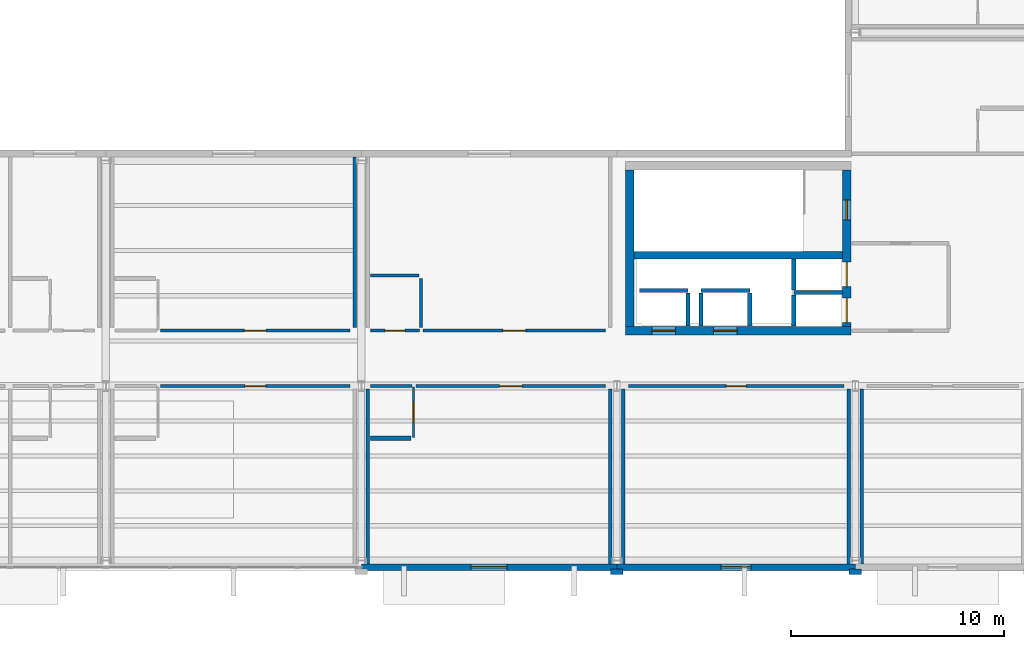
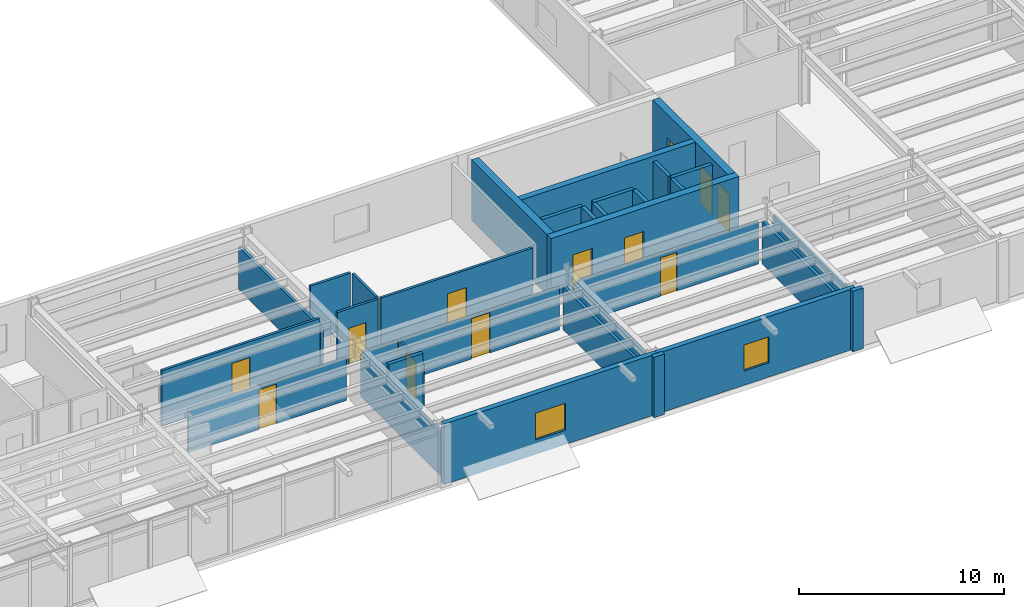
# One storey, part 14 of 19: 33 walls, 12 doors, 2 windows, 14 openings.
"""IFC4 building model written with IfcOpenShell, lengths in metres."""

from ifc_helpers import new_model, si_unit, direction, frame, frame_2d, origin, place, context, subcontext, project, spatial, rectangle, extrude, material, layer, layer_set, type_object, element, fill, save


model = new_model("IFC4")

# Units and contexts
model_context = context("Model", 3, precision=1e-05, world=origin(), true_north=direction((0.0, 1.0)))
body_context = subcontext(model_context, "Body", "Model", "MODEL_VIEW")
ifc_project = project(units=[si_unit("LENGTHUNIT", "METRE"), si_unit("AREAUNIT", "SQUARE_METRE"), si_unit("VOLUMEUNIT", "CUBIC_METRE"), si_unit("PLANEANGLEUNIT", "RADIAN"), si_unit("MASSUNIT", "GRAM", prefix="KILO")], contexts=[model_context])

# Site, building, storey
site_placement = place(None, origin())
site = spatial("IfcSite", under=ifc_project, at=site_placement, CompositionType="ELEMENT")
building_placement = place(site_placement, origin())
building = spatial("IfcBuilding", under=site, at=building_placement, Name="Sollismere Congress Hotel", CompositionType="ELEMENT")
storey_placement = place(building_placement, frame((0.0, 0.0, 44.60009765625)))
storey = spatial("IfcBuildingStorey", under=building, at=storey_placement, Name="L11", CompositionType="ELEMENT", Elevation=44.60009765625)

# Wall, opening, window
ifc_material_1 = material(Name="Colorado Buff Sandstone Rainscreen on Insulated Backup", Category="masonry")
ifc_layer_1 = layer(ifc_material_1, 0.284912109375, Name="Colorado Buff Sandstone Rainscreen on Insulated Backup")
ifc_layer_set_1 = layer_set([ifc_layer_1], Name="Colorado Buff Sandstone Rainscreen on Insulated Backup")
wall_type_1 = type_object("IfcWallType", Name="WL-EXT285", PredefinedType="STANDARD", material=ifc_layer_set_1)
wall_1_placement = place(storey_placement, frame((124.0, -0.31005859375, 0.0), z_axis=(0.0, 0.0, 1.0), x_axis=(1.0, 0.0, 0.0)))
wall_1 = element("IfcWall", 1, at=wall_1_placement, inside=storey, type_object=wall_type_1, Name="Exterior wall EW-L11-999", PredefinedType="STANDARD", context=body_context, shape_type="SweptSolid", body=[
    extrude(rectangle(XDim=12.0, YDim=0.284912109375, at=frame_2d((6.0, 0.0))), origin(), (0.0, 0.0, 1.0), 3.599853515625),
])
opening_1_placement = place(wall_1_placement, frame((5.14990234375, 0.0, 0.85009765625)))
opening_1 = element("IfcOpeningElement", 2, at=opening_1_placement, cuts=wall_1, Name="Opening W-L11-714", PredefinedType="OPENING", context=body_context, shape_type="SweptSolid", body=[
    extrude(rectangle(XDim=1.699951171875, YDim=1.60009765625, at=frame_2d((0.85009765625, 0.800048828125))), frame((0.0, 0.15234375, 0.0), z_axis=(0.0, -1.0, 0.0), x_axis=(1.0, 0.0, 0.0)), (0.0, 0.0, 1.0), 0.304931640625),
])
ifc_material_2 = material(Name="Thermally Broken Bronze Aluminum & Low-E Glass", Category="aluminium")
window_type_1 = type_object("IfcWindowType", Name="WN-P170x160", PartitioningType="SINGLE_PANEL", PredefinedType="WINDOW", material=ifc_material_2)
window_1_placement = place(opening_1_placement, origin())
window_1 = element("IfcWindow", 3, at=window_1_placement, inside=storey, type_object=window_type_1, Name="WIN-W-L11-714", OverallHeight=1.60009765625, OverallWidth=1.699951171875, PartitioningType="SINGLE_PANEL", PredefinedType="WINDOW", context=body_context, shape_type="SweptSolid", body=[
    extrude(rectangle(XDim=1.699951171875, YDim=1.60009765625, at=frame_2d((0.85009765625, 0.800048828125))), frame((0.0, 0.030029296875, 0.0), z_axis=(0.0, -1.0, 0.0), x_axis=(1.0, 0.0, 0.0)), (0.0, 0.0, 1.0), 0.06005859375),
])
fill(opening_1, window_1)

wall_2_placement = place(storey_placement, frame((136.0, -0.31005859375, 0.0), z_axis=(0.0, 0.0, 1.0), x_axis=(1.0, 0.0, 0.0)))
wall_2 = element("IfcWall", 4, at=wall_2_placement, inside=storey, type_object=wall_type_1, Name="Exterior wall EW-L11-1001", PredefinedType="STANDARD", context=body_context, shape_type="SweptSolid", body=[
    extrude(rectangle(XDim=11.199951171875, YDim=0.284912109375, at=frame_2d((5.60009765625, 0.0))), origin(), (0.0, 0.0, 1.0), 3.599853515625),
])
opening_2_placement = place(wall_2_placement, frame((4.89990234375, 0.0, 0.85009765625)))
opening_2 = element("IfcOpeningElement", 5, at=opening_2_placement, cuts=wall_2, Name="Opening W-L11-715", PredefinedType="OPENING", context=body_context, shape_type="SweptSolid", body=[
    extrude(rectangle(XDim=1.39990234375, YDim=1.550048828125, at=frame_2d((0.699951171875, 0.77490234375))), frame((0.0, 0.15234375, 0.0), z_axis=(0.0, -1.0, 0.0), x_axis=(1.0, 0.0, 0.0)), (0.0, 0.0, 1.0), 0.304931640625),
])
window_type_2 = type_object("IfcWindowType", Name="WN-P140x155", PartitioningType="SINGLE_PANEL", PredefinedType="WINDOW", material=ifc_material_2)
window_2_placement = place(opening_2_placement, origin())
window_2 = element("IfcWindow", 6, at=window_2_placement, inside=storey, type_object=window_type_2, Name="WIN-W-L11-715", OverallHeight=1.550048828125, OverallWidth=1.39990234375, PartitioningType="SINGLE_PANEL", PredefinedType="WINDOW", context=body_context, shape_type="SweptSolid", body=[
    extrude(rectangle(XDim=1.39990234375, YDim=1.550048828125, at=frame_2d((0.699951171875, 0.77490234375))), frame((0.0, 0.030029296875, 0.0), z_axis=(0.0, -1.0, 0.0), x_axis=(1.0, 0.0, 0.0)), (0.0, 0.0, 1.0), 0.06005859375),
])
fill(opening_2, window_2)

# Walls
ifc_material_3 = material(Name="Carved Travertine Pilaster & Frieze Assembly", Category="masonry")
ifc_layer_2 = layer(ifc_material_3, 0.260009765625, Name="Carved Travertine Pilaster & Frieze Assembly")
ifc_layer_set_2 = layer_set([ifc_layer_2], Name="Carved Travertine Pilaster & Frieze Assembly")
wall_type_2 = type_object("IfcWallType", Name="WL-PIL280", PredefinedType="ELEMENTEDWALL", material=ifc_layer_set_2)
for number, where, z_axis, x_axis, name in (
    (7, (135.699951171875, -0.52001953125, 0.0), (0.0, 0.0, 1.0), (1.0, 0.0, 0.0), "Exterior wall EW-L11-1002"),
    (8, (146.89990234375, -0.52001953125, 0.0), (0.0, 0.0, 1.0), (1.0, 0.0, 0.0), "Exterior wall EW-L11-1004"),
):
    element("IfcWall", number, at=place(storey_placement, frame(where, z_axis=z_axis, x_axis=x_axis)), inside=storey, type_object=wall_type_2, Name=name, PredefinedType="ELEMENTEDWALL", context=body_context, shape_type="SweptSolid", body=[
        extrude(rectangle(XDim=0.60009765625, YDim=0.260009765625, at=frame_2d((0.300048828125, 0.0))), origin(), (0.0, 0.0, 1.0), 3.599853515625),
    ])
ifc_material_4 = material(Name="Moisture-Resistant Shaft Gypsum Assembly")
ifc_layer_3 = layer(ifc_material_4, 0.199951171875, Name="Moisture-Resistant Shaft Gypsum Assembly")
ifc_layer_set_3 = layer_set([ifc_layer_3], Name="Moisture-Resistant Shaft Gypsum Assembly")
wall_type_3 = type_object("IfcWallType", Name="WL-PLM200", PredefinedType="PLUMBINGWALL", material=ifc_layer_set_3)
wall_3_placement = place(storey_placement, frame((137.054931640625, 12.68994140625, 0.0), z_axis=(0.0, 0.0, 1.0), x_axis=(1.0, 0.0, 0.0)))
element("IfcWall", 9, at=wall_3_placement, inside=storey, type_object=wall_type_3, Name="Interior wall IW-L11-0198", PredefinedType="PLUMBINGWALL", context=body_context, shape_type="SweptSolid", body=[
    extrude(rectangle(XDim=2.2900390625, YDim=0.199951171875, at=frame_2d((1.14501953125, 0.0))), origin(), (0.0, 0.0, 1.0), 3.2998046875),
])
wall_4_placement = place(storey_placement, frame((139.344970703125, 11.011962890625, 0.0), z_axis=(0.0, 0.0, 1.0), x_axis=(0.0, 1.0, 0.0)))
element("IfcWall", 10, at=wall_4_placement, inside=storey, type_object=wall_type_3, Name="Interior wall IW-L11-0199", PredefinedType="PLUMBINGWALL", context=body_context, shape_type="SweptSolid", body=[
    extrude(rectangle(XDim=1.56591796875, YDim=0.199951171875, at=frame_2d((0.782958984375, 0.0))), origin(), (0.0, 0.0, 1.0), 3.2998046875),
])
wall_5_placement = place(storey_placement, frame((139.955078125, 12.68994140625, 0.0), z_axis=(0.0, 0.0, 1.0), x_axis=(1.0, 0.0, 0.0)))
element("IfcWall", 11, at=wall_5_placement, inside=storey, type_object=wall_type_3, Name="Interior wall IW-L11-0200", PredefinedType="PLUMBINGWALL", context=body_context, shape_type="SweptSolid", body=[
    extrude(rectangle(XDim=2.2900390625, YDim=0.199951171875, at=frame_2d((1.14501953125, 0.0))), origin(), (0.0, 0.0, 1.0), 3.2998046875),
])
for number, where, z_axis, x_axis, name in (
    (12, (139.955078125, 11.011962890625, 0.0), (0.0, 0.0, 1.0), (0.0, 1.0, 0.0), "Interior wall IW-L11-0201"),
    (13, (142.2451171875, 11.011962890625, 0.0), (0.0, 0.0, 1.0), (0.0, 1.0, 0.0), "Interior wall IW-L11-0202"),
):
    element("IfcWall", number, at=place(storey_placement, frame(where, z_axis=z_axis, x_axis=x_axis)), inside=storey, type_object=wall_type_3, Name=name, PredefinedType="PLUMBINGWALL", context=body_context, shape_type="SweptSolid", body=[
        extrude(rectangle(XDim=1.56591796875, YDim=0.199951171875, at=frame_2d((0.782958984375, 0.0))), origin(), (0.0, 0.0, 1.0), 3.2998046875),
    ])
wall_6_placement = place(storey_placement, frame((144.31005859375, 12.594970703125, 0.0), z_axis=(0.0, 0.0, 1.0), x_axis=(1.0, 0.0, 0.0)))
element("IfcWall", 14, at=wall_6_placement, inside=storey, type_object=wall_type_3, Name="Interior wall IW-L11-0203", PredefinedType="PLUMBINGWALL", context=body_context, shape_type="SweptSolid", body=[
    extrude(rectangle(XDim=2.27783203125, YDim=0.199951171875, at=frame_2d((1.138916015625, 0.0))), origin(), (0.0, 0.0, 1.0), 3.2998046875),
])
wall_7_placement = place(storey_placement, frame((144.31005859375, 11.011962890625, 0.0), z_axis=(0.0, 0.0, 1.0), x_axis=(0.0, 1.0, 0.0)))
element("IfcWall", 15, at=wall_7_placement, inside=storey, type_object=wall_type_3, Name="Interior wall IW-L11-0204", PredefinedType="PLUMBINGWALL", context=body_context, shape_type="SweptSolid", body=[
    extrude(rectangle(XDim=1.470947265625, YDim=0.199951171875, at=frame_2d((0.7353515625, 0.0))), origin(), (0.0, 0.0, 1.0), 3.2998046875),
])
wall_8_placement = place(storey_placement, frame((144.31005859375, 12.70703125, 0.0), z_axis=(0.0, 0.0, 1.0), x_axis=(0.0, 1.0, 0.0)))
element("IfcWall", 16, at=wall_8_placement, inside=storey, type_object=wall_type_3, Name="Interior wall IW-L11-0205", PredefinedType="PLUMBINGWALL", context=body_context, shape_type="SweptSolid", body=[
    extrude(rectangle(XDim=1.4560546875, YDim=0.199951171875, at=frame_2d((0.72802734375, 0.0))), origin(), (0.0, 0.0, 1.0), 3.2998046875),
])
wall_9_placement = place(storey_placement, frame((124.419921875, 5.75, 0.0), z_axis=(0.0, 0.0, 1.0), x_axis=(1.0, 0.0, 0.0)))
element("IfcWall", 17, at=wall_9_placement, inside=storey, type_object=wall_type_3, Name="Interior wall IW-L11-2940", PredefinedType="PLUMBINGWALL", context=body_context, shape_type="SweptSolid", body=[
    extrude(rectangle(XDim=1.91015625, YDim=0.199951171875, at=frame_2d((0.955078125, 0.0))), origin(), (0.0, 0.0, 1.0), 3.2998046875),
])

# Wall, opening, door
ifc_material_5 = material(Name="Moisture-Resistant Gypsum Partition")
ifc_layer_4 = layer(ifc_material_5, 0.10009765625, Name="Moisture-Resistant Gypsum Partition")
ifc_layer_set_4 = layer_set([ifc_layer_4], Name="Moisture-Resistant Gypsum Partition")
wall_type_4 = type_object("IfcWallType", Name="WL-PRT100", PredefinedType="PARTITIONING", material=ifc_layer_set_4)
wall_10_placement = place(storey_placement, frame((126.449951171875, 5.7900390625, 0.0), z_axis=(0.0, 0.0, 1.0), x_axis=(0.0, 1.0, 0.0)))
wall_10 = element("IfcWall", 18, at=wall_10_placement, inside=storey, type_object=wall_type_4, Name="Interior wall IW-L11-2939", PredefinedType="PARTITIONING", context=body_context, shape_type="SweptSolid", body=[
    extrude(rectangle(XDim=2.369873046875, YDim=0.10009765625, at=frame_2d((1.18505859375, 0.0))), origin(), (0.0, 0.0, 1.0), 2.537841796875),
])
opening_3_placement = place(wall_10_placement, frame((0.719970703125, 0.0, 0.0)))
opening_3 = element("IfcOpeningElement", 19, at=opening_3_placement, cuts=wall_10, Name="Opening D-L11-1039", PredefinedType="OPENING", context=body_context, shape_type="SweptSolid", body=[
    extrude(rectangle(XDim=0.929931640625, YDim=2.219970703125, at=frame_2d((0.46484375, 1.10986328125))), frame((0.0, 0.06005859375, 0.0), z_axis=(0.0, -1.0, 0.0), x_axis=(1.0, 0.0, 0.0)), (0.0, 0.0, 1.0), 0.1201171875),
])
ifc_material_6 = material(Name="Moisture-Sealed Timber Bathroom Door", Category="wood")
door_type_1 = type_object("IfcDoorType", Name="DR-BT07", OperationType="NOTDEFINED", PredefinedType="DOOR", material=ifc_material_6)
door_1_placement = place(opening_3_placement, origin())
door_1 = element("IfcDoor", 20, at=door_1_placement, inside=storey, type_object=door_type_1, Name="En-suite bathroom door D-L11-1039", OperationType="SINGLE_SWING_RIGHT", OverallHeight=2.219970703125, OverallWidth=0.929931640625, PredefinedType="DOOR", context=body_context, shape_type="SweptSolid", body=[
    extrude(rectangle(XDim=0.929931640625, YDim=2.219970703125, at=frame_2d((0.46484375, 1.10986328125))), frame((0.0, 0.02490234375, 0.0), z_axis=(0.0, -1.0, 0.0), x_axis=(1.0, 0.0, 0.0)), (0.0, 0.0, 1.0), 0.050048828125),
])
fill(opening_3, door_1)

ifc_material_7 = material(Name="Fire-Rated Gypsum Partition")
ifc_layer_5 = layer(ifc_material_7, 0.139892578125, Name="Fire-Rated Gypsum Partition")
ifc_layer_set_5 = layer_set([ifc_layer_5], Name="Fire-Rated Gypsum Partition")
wall_type_5 = type_object("IfcWallType", Name="WL-PRT140R", PredefinedType="PARTITIONING", material=ifc_layer_set_5)
wall_11_placement = place(storey_placement, frame((114.570068359375, 8.199951171875, 0.0), z_axis=(0.0, 0.0, 1.0), x_axis=(1.0, 0.0, 0.0)))
wall_11 = element("IfcWall", 21, at=wall_11_placement, inside=storey, type_object=wall_type_5, Name="Interior wall IW-L11-2924", PredefinedType="PARTITIONING", context=body_context, shape_type="SweptSolid", body=[
    extrude(rectangle(XDim=8.889892578125, YDim=0.139892578125, at=frame_2d((4.44482421875, 0.0))), origin(), (0.0, 0.0, 1.0), 2.537841796875),
])
opening_4_placement = place(wall_11_placement, frame((3.955078125, 0.0, 0.0)))
opening_4 = element("IfcOpeningElement", 22, at=opening_4_placement, cuts=wall_11, Name="Opening D-L11-1034", PredefinedType="OPENING", context=body_context, shape_type="SweptSolid", body=[
    extrude(rectangle(XDim=0.97998046875, YDim=2.35009765625, at=frame_2d((0.489990234375, 1.175048828125))), frame((0.0, 0.079833984375, 0.0), z_axis=(0.0, -1.0, 0.0), x_axis=(1.0, 0.0, 0.0)), (0.0, 0.0, 1.0), 0.159912109375),
])
ifc_material_8 = material(Name="Solid-Core Acoustic Walnut Guestroom Entry Door")
door_type_2 = type_object("IfcDoorType", Name="DR-KY09", OperationType="NOTDEFINED", PredefinedType="DOOR", material=ifc_material_8)
door_2_placement = place(opening_4_placement, origin())
door_2 = element("IfcDoor", 23, at=door_2_placement, inside=storey, type_object=door_type_2, Name="Hotel room entry door D-L11-1034", OperationType="SINGLE_SWING_LEFT", OverallHeight=2.35009765625, OverallWidth=0.97998046875, PredefinedType="DOOR", context=body_context, shape_type="SweptSolid", body=[
    extrude(rectangle(XDim=0.97998046875, YDim=2.35009765625, at=frame_2d((0.489990234375, 1.175048828125))), frame((0.0, 0.02490234375, 0.0), z_axis=(0.0, -1.0, 0.0), x_axis=(1.0, 0.0, 0.0)), (0.0, 0.0, 1.0), 0.050048828125),
])
fill(opening_4, door_2)

wall_12_placement = place(storey_placement, frame((114.570068359375, 10.800048828125, 0.0), z_axis=(0.0, 0.0, 1.0), x_axis=(1.0, 0.0, 0.0)))
wall_12 = element("IfcWall", 24, at=wall_12_placement, inside=storey, type_object=wall_type_5, Name="Interior wall IW-L11-2930", PredefinedType="PARTITIONING", context=body_context, shape_type="SweptSolid", body=[
    extrude(rectangle(XDim=8.889892578125, YDim=0.139892578125, at=frame_2d((4.44482421875, 0.0))), origin(), (0.0, 0.0, 1.0), 3.2998046875),
])
opening_5_placement = place(wall_12_placement, frame((3.93994140625, 0.0, 0.0)))
opening_5 = element("IfcOpeningElement", 25, at=opening_5_placement, cuts=wall_12, Name="Opening D-L11-1036", PredefinedType="OPENING", context=body_context, shape_type="SweptSolid", body=[
    extrude(rectangle(XDim=1.010009765625, YDim=2.35009765625, at=frame_2d((0.5048828125, 1.175048828125))), frame((0.0, 0.079833984375, 0.0), z_axis=(0.0, -1.0, 0.0), x_axis=(1.0, 0.0, 0.0)), (0.0, 0.0, 1.0), 0.159912109375),
])
door_type_3 = type_object("IfcDoorType", Name="DR-KY10", OperationType="NOTDEFINED", PredefinedType="DOOR", material=ifc_material_8)
door_3_placement = place(opening_5_placement, origin())
door_3 = element("IfcDoor", 26, at=door_3_placement, inside=storey, type_object=door_type_3, Name="Hotel room entry door D-L11-1036", OperationType="SINGLE_SWING_LEFT", OverallHeight=2.35009765625, OverallWidth=1.010009765625, PredefinedType="DOOR", context=body_context, shape_type="SweptSolid", body=[
    extrude(rectangle(XDim=1.010009765625, YDim=2.35009765625, at=frame_2d((0.5048828125, 1.175048828125))), frame((0.0, 0.02490234375, 0.0), z_axis=(0.0, -1.0, 0.0), x_axis=(1.0, 0.0, 0.0)), (0.0, 0.0, 1.0), 0.050048828125),
])
fill(opening_5, door_3)

# Wall
wall_13_placement = place(storey_placement, frame((124.43994140625, 8.199951171875, 0.0), z_axis=(0.0, 0.0, 1.0), x_axis=(1.0, 0.0, 0.0)))
element("IfcWall", 27, at=wall_13_placement, inside=storey, type_object=wall_type_5, Name="Interior wall IW-L11-2935", PredefinedType="PARTITIONING", context=body_context, shape_type="SweptSolid", body=[
    extrude(rectangle(XDim=1.93017578125, YDim=0.139892578125, at=frame_2d((0.965087890625, 0.0))), origin(), (0.0, 0.0, 1.0), 2.537841796875),
])

# Wall, opening, door
wall_14_placement = place(storey_placement, frame((126.570068359375, 8.199951171875, 0.0), z_axis=(0.0, 0.0, 1.0), x_axis=(1.0, 0.0, 0.0)))
wall_14 = element("IfcWall", 28, at=wall_14_placement, inside=storey, type_object=wall_type_5, Name="Interior wall IW-L11-2936", PredefinedType="PARTITIONING", context=body_context, shape_type="SweptSolid", body=[
    extrude(rectangle(XDim=8.889892578125, YDim=0.139892578125, at=frame_2d((4.44482421875, 0.0))), origin(), (0.0, 0.0, 1.0), 2.537841796875),
])
opening_6_placement = place(wall_14_placement, frame((3.925048828125, 0.0, 0.0)))
opening_6 = element("IfcOpeningElement", 29, at=opening_6_placement, cuts=wall_14, Name="Opening D-L11-1038", PredefinedType="OPENING", context=body_context, shape_type="SweptSolid", body=[
    extrude(rectangle(XDim=1.0400390625, YDim=2.39990234375, at=frame_2d((0.52001953125, 1.199951171875))), frame((0.0, 0.079833984375, 0.0), z_axis=(0.0, -1.0, 0.0), x_axis=(1.0, 0.0, 0.0)), (0.0, 0.0, 1.0), 0.159912109375),
])
door_type_4 = type_object("IfcDoorType", Name="DR-KY11", OperationType="NOTDEFINED", PredefinedType="DOOR", material=ifc_material_8)
door_4_placement = place(opening_6_placement, origin())
door_4 = element("IfcDoor", 30, at=door_4_placement, inside=storey, type_object=door_type_4, Name="Hotel room entry door D-L11-1038", OperationType="SINGLE_SWING_LEFT", OverallHeight=2.39990234375, OverallWidth=1.0400390625, PredefinedType="DOOR", context=body_context, shape_type="SweptSolid", body=[
    extrude(rectangle(XDim=1.0400390625, YDim=2.39990234375, at=frame_2d((0.52001953125, 1.199951171875))), frame((0.0, 0.02490234375, 0.0), z_axis=(0.0, -1.0, 0.0), x_axis=(1.0, 0.0, 0.0)), (0.0, 0.0, 1.0), 0.050048828125),
])
fill(opening_6, door_4)

wall_15_placement = place(storey_placement, frame((124.43994140625, 10.800048828125, 0.0), z_axis=(0.0, 0.0, 1.0), x_axis=(1.0, 0.0, 0.0)))
wall_15 = element("IfcWall", 31, at=wall_15_placement, inside=storey, type_object=wall_type_5, Name="Interior wall IW-L11-2976", PredefinedType="PARTITIONING", context=body_context, shape_type="SweptSolid", body=[
    extrude(rectangle(XDim=2.280029296875, YDim=0.139892578125, at=frame_2d((1.14013671875, 0.0))), origin(), (0.0, 0.0, 1.0), 3.2998046875),
])
opening_7_placement = place(wall_15_placement, frame((0.659912109375, 0.0, 0.0)))
opening_7 = element("IfcOpeningElement", 32, at=opening_7_placement, cuts=wall_15, Name="Opening D-L11-1052", PredefinedType="OPENING", context=body_context, shape_type="SweptSolid", body=[
    extrude(rectangle(XDim=0.9599609375, YDim=2.14990234375, at=frame_2d((0.47998046875, 1.074951171875))), frame((0.0, 0.079833984375, 0.0), z_axis=(0.0, -1.0, 0.0), x_axis=(1.0, 0.0, 0.0)), (0.0, 0.0, 1.0), 0.159912109375),
])
ifc_material_9 = material(Name="Fire-Rated Accessible Restroom Door")
door_type_5 = type_object("IfcDoorType", Name="DR-AWC01", OperationType="NOTDEFINED", PredefinedType="DOOR", material=ifc_material_9)
door_5_placement = place(opening_7_placement, origin())
door_5 = element("IfcDoor", 33, at=door_5_placement, inside=storey, type_object=door_type_5, Name="Accessible restroom door D-L11-1052", OperationType="SINGLE_SWING_LEFT", OverallHeight=2.14990234375, OverallWidth=0.9599609375, PredefinedType="DOOR", context=body_context, shape_type="SweptSolid", body=[
    extrude(rectangle(XDim=0.9599609375, YDim=2.14990234375, at=frame_2d((0.47998046875, 1.074951171875))), frame((0.0, 0.02490234375, 0.0), z_axis=(0.0, -1.0, 0.0), x_axis=(1.0, 0.0, 0.0)), (0.0, 0.0, 1.0), 0.050048828125),
])
fill(opening_7, door_5)

# Walls
wall_16_placement = place(storey_placement, frame((126.800048828125, 10.93994140625, 0.0), z_axis=(0.0, 0.0, 1.0), x_axis=(0.0, 1.0, 0.0)))
element("IfcWall", 34, at=wall_16_placement, inside=storey, type_object=wall_type_5, Name="Interior wall IW-L11-2977", PredefinedType="PARTITIONING", context=body_context, shape_type="SweptSolid", body=[
    extrude(rectangle(XDim=2.320068359375, YDim=0.139892578125, at=frame_2d((1.16015625, 0.0))), origin(), (0.0, 0.0, 1.0), 3.2998046875),
])
wall_17_placement = place(storey_placement, frame((124.43994140625, 13.39990234375, 0.0), z_axis=(0.0, 0.0, 1.0), x_axis=(1.0, 0.0, 0.0)))
element("IfcWall", 35, at=wall_17_placement, inside=storey, type_object=wall_type_5, Name="Interior wall IW-L11-2978", PredefinedType="PARTITIONING", context=body_context, shape_type="SweptSolid", body=[
    extrude(rectangle(XDim=2.260009765625, YDim=0.139892578125, at=frame_2d((1.1298828125, 0.0))), origin(), (0.0, 0.0, 1.0), 3.2998046875),
])

# Wall, opening, door
wall_18_placement = place(storey_placement, frame((126.89990234375, 10.800048828125, 0.0), z_axis=(0.0, 0.0, 1.0), x_axis=(1.0, 0.0, 0.0)))
wall_18 = element("IfcWall", 36, at=wall_18_placement, inside=storey, type_object=wall_type_5, Name="Interior wall IW-L11-2979", PredefinedType="PARTITIONING", context=body_context, shape_type="SweptSolid", body=[
    extrude(rectangle(XDim=8.56005859375, YDim=0.139892578125, at=frame_2d((4.280029296875, 0.0))), origin(), (0.0, 0.0, 1.0), 3.2998046875),
])
opening_8_placement = place(wall_18_placement, frame((3.7451171875, 0.0, 0.0)))
opening_8 = element("IfcOpeningElement", 37, at=opening_8_placement, cuts=wall_18, Name="Opening D-L11-1053", PredefinedType="OPENING", context=body_context, shape_type="SweptSolid", body=[
    extrude(rectangle(XDim=1.070068359375, YDim=2.25, at=frame_2d((0.53515625, 1.125))), frame((0.0, 0.079833984375, 0.0), z_axis=(0.0, -1.0, 0.0), x_axis=(1.0, 0.0, 0.0)), (0.0, 0.0, 1.0), 0.159912109375),
])
door_type_6 = type_object("IfcDoorType", Name="DR-KY06", OperationType="NOTDEFINED", PredefinedType="DOOR", material=ifc_material_8)
door_6_placement = place(opening_8_placement, origin())
door_6 = element("IfcDoor", 38, at=door_6_placement, inside=storey, type_object=door_type_6, Name="Hotel room entry door D-L11-1053", OperationType="SINGLE_SWING_RIGHT", OverallHeight=2.25, OverallWidth=1.070068359375, PredefinedType="DOOR", context=body_context, shape_type="SweptSolid", body=[
    extrude(rectangle(XDim=1.070068359375, YDim=2.25, at=frame_2d((0.53515625, 1.125))), frame((0.0, 0.02490234375, 0.0), z_axis=(0.0, -1.0, 0.0), x_axis=(1.0, 0.0, 0.0)), (0.0, 0.0, 1.0), 0.050048828125),
])
fill(opening_8, door_6)

wall_19_placement = place(storey_placement, frame((136.5400390625, 8.199951171875, 0.0), z_axis=(0.0, 0.0, 1.0), x_axis=(1.0, 0.0, 0.0)))
wall_19 = element("IfcWall", 39, at=wall_19_placement, inside=storey, type_object=wall_type_5, Name="Interior wall IW-L11-2982", PredefinedType="PARTITIONING", context=body_context, shape_type="SweptSolid", body=[
    extrude(rectangle(XDim=10.119873046875, YDim=0.139892578125, at=frame_2d((5.06005859375, 0.0))), origin(), (0.0, 0.0, 1.0), 2.537841796875),
])
opening_9_placement = place(wall_19_placement, frame((4.60009765625, 0.0, 0.0)))
opening_9 = element("IfcOpeningElement", 40, at=opening_9_placement, cuts=wall_19, Name="Opening D-L11-1054", PredefinedType="OPENING", context=body_context, shape_type="SweptSolid", body=[
    extrude(rectangle(XDim=0.919921875, YDim=2.300048828125, at=frame_2d((0.4599609375, 1.14990234375))), frame((0.0, 0.079833984375, 0.0), z_axis=(0.0, -1.0, 0.0), x_axis=(1.0, 0.0, 0.0)), (0.0, 0.0, 1.0), 0.159912109375),
])
door_type_7 = type_object("IfcDoorType", Name="DR-KY07", OperationType="NOTDEFINED", PredefinedType="DOOR", material=ifc_material_8)
door_7_placement = place(opening_9_placement, origin())
door_7 = element("IfcDoor", 41, at=door_7_placement, inside=storey, type_object=door_type_7, Name="Hotel room entry door D-L11-1054", OperationType="SINGLE_SWING_LEFT", OverallHeight=2.300048828125, OverallWidth=0.919921875, PredefinedType="DOOR", context=body_context, shape_type="SweptSolid", body=[
    extrude(rectangle(XDim=0.919921875, YDim=2.300048828125, at=frame_2d((0.4599609375, 1.14990234375))), frame((0.0, 0.02490234375, 0.0), z_axis=(0.0, -1.0, 0.0), x_axis=(1.0, 0.0, 0.0)), (0.0, 0.0, 1.0), 0.050048828125),
])
fill(opening_9, door_7)

# Walls
ifc_material_10 = material(Name="Fire-Rated Acoustic Gypsum Partition")
ifc_layer_6 = layer(ifc_material_10, 0.1650390625, Name="Fire-Rated Acoustic Gypsum Partition")
ifc_layer_set_6 = layer_set([ifc_layer_6], Name="Fire-Rated Acoustic Gypsum Partition")
wall_type_6 = type_object("IfcWallType", Name="WL-PRT165R", PredefinedType="PARTITIONING", material=ifc_layer_set_6)
wall_20_placement = place(storey_placement, frame((123.699951171875, 10.93994140625, 0.0), z_axis=(0.0, 0.0, 1.0), x_axis=(0.0, 1.0, 0.0)))
element("IfcWall", 42, at=wall_20_placement, inside=storey, type_object=wall_type_6, Name="Interior wall IW-L11-2932", PredefinedType="PARTITIONING", context=body_context, shape_type="SweptSolid", body=[
    extrude(rectangle(XDim=8.012451171875, YDim=0.1650390625, at=frame_2d((4.00634765625, 0.0))), origin(), (0.0, 0.0, 1.0), 2.537841796875),
])
for number, where, z_axis, x_axis, name in (
    (43, (124.300048828125, -0.152587890625, 0.0), (0.0, 0.0, 1.0), (0.0, 1.0, 0.0), "Interior wall IW-L11-2937"),
    (44, (135.699951171875, -0.152587890625, 0.0), (0.0, 0.0, 1.0), (0.0, 1.0, 0.0), "Interior wall IW-L11-2938"),
    (45, (136.300048828125, -0.152587890625, 0.0), (0.0, 0.0, 1.0), (0.0, 1.0, 0.0), "Interior wall IW-L11-2983"),
    (46, (146.89990234375, -0.152587890625, 0.0), (0.0, 0.0, 1.0), (0.0, 1.0, 0.0), "Interior wall IW-L11-2984"),
):
    element("IfcWall", number, at=place(storey_placement, frame(where, z_axis=z_axis, x_axis=x_axis)), inside=storey, type_object=wall_type_6, Name=name, PredefinedType="PARTITIONING", context=body_context, shape_type="SweptSolid", body=[
        extrude(rectangle(XDim=8.212646484375, YDim=0.1650390625, at=frame_2d((4.1064453125, 0.0))), origin(), (0.0, 0.0, 1.0), 2.537841796875),
    ])
wall_21_placement = place(storey_placement, frame((147.5, -0.152587890625, 0.0), z_axis=(0.0, 0.0, 1.0), x_axis=(0.0, 1.0, 0.0)))
element("IfcWall", 47, at=wall_21_placement, inside=storey, type_object=wall_type_6, Name="Interior wall IW-L11-2986", PredefinedType="PARTITIONING", context=body_context, shape_type="SweptSolid", body=[
    extrude(rectangle(XDim=8.212646484375, YDim=0.1650390625, at=frame_2d((4.1064453125, 0.0))), origin(), (0.0, 0.0, 1.0), 2.68994140625),
])
ifc_material_11 = material(Name="Concrete C50/60", Category="concrete")
ifc_layer_7 = layer(ifc_material_11, 0.35009765625, Name="Concrete C50/60")
ifc_layer_set_7 = layer_set([ifc_layer_7], Name="Concrete C50/60")
wall_type_7 = type_object("IfcWallType", Name="WL-SHR350", PredefinedType="SHEAR", material=ifc_layer_set_7)
wall_22_placement = place(storey_placement, frame((136.800048828125, 14.35009765625, 0.0), z_axis=(0.0, 0.0, 1.0), x_axis=(1.0, 0.0, 0.0)))
element("IfcWall", 48, at=wall_22_placement, inside=storey, type_object=wall_type_7, Name="Interior wall IW-L11-0197", PredefinedType="SHEAR", context=body_context, shape_type="SweptSolid", body=[
    extrude(rectangle(XDim=9.800048828125, YDim=0.35009765625, at=frame_2d((4.89990234375, 0.0))), origin(), (0.0, 0.0, 1.0), 3.599853515625),
])

# Wall, openings, doors
ifc_layer_8 = layer(ifc_material_11, 0.39990234375, Name="Concrete C50/60")
ifc_layer_set_8 = layer_set([ifc_layer_8], Name="Concrete C50/60")
wall_type_8 = type_object("IfcWallType", Name="WL-SHR400", PredefinedType="SHEAR", material=ifc_layer_set_8)
wall_23_placement = place(storey_placement, frame((136.39990234375, 10.800048828125, 0.0), z_axis=(0.0, 0.0, 1.0), x_axis=(1.0, 0.0, 0.0)))
wall_23 = element("IfcWall", 49, at=wall_23_placement, inside=storey, type_object=wall_type_8, Name="Interior wall IW-L11-0193", PredefinedType="SHEAR", context=body_context, shape_type="SweptSolid", body=[
    extrude(rectangle(XDim=10.60009765625, YDim=0.39990234375, at=frame_2d((5.300048828125, 0.0))), origin(), (0.0, 0.0, 1.0), 3.599853515625),
])
opening_10_placement = place(wall_23_placement, frame((1.25, 0.0, 0.0)))
opening_10 = element("IfcOpeningElement", 50, at=opening_10_placement, cuts=wall_23, Name="Opening LD-LP-01-L11", PredefinedType="OPENING", context=body_context, shape_type="SweptSolid", body=[
    extrude(rectangle(XDim=1.10009765625, YDim=2.199951171875, at=frame_2d((0.550048828125, 1.10009765625))), frame((0.0, 0.2099609375, 0.0), z_axis=(0.0, -1.0, 0.0), x_axis=(1.0, 0.0, 0.0)), (0.0, 0.0, 1.0), 0.419921875),
])
opening_11_placement = place(wall_23_placement, frame((4.14990234375, 0.0, 0.0)))
opening_11 = element("IfcOpeningElement", 51, at=opening_11_placement, cuts=wall_23, Name="Opening LD-LP-02-L11", PredefinedType="OPENING", context=body_context, shape_type="SweptSolid", body=[
    extrude(rectangle(XDim=1.10009765625, YDim=2.199951171875, at=frame_2d((0.550048828125, 1.10009765625))), frame((0.0, 0.2099609375, 0.0), z_axis=(0.0, -1.0, 0.0), x_axis=(1.0, 0.0, 0.0)), (0.0, 0.0, 1.0), 0.419921875),
])
ifc_material_12 = material(Name="Brushed Bronze Sliding Elevator Landing Door")
door_type_8 = type_object("IfcDoorType", Name="DR-LD110", OperationType="NOTDEFINED", PredefinedType="DOOR", material=ifc_material_12)
door_8_placement = place(opening_10_placement, origin())
door_8 = element("IfcDoor", 52, at=door_8_placement, inside=storey, type_object=door_type_8, Name="Elevator landing door LD-LP-01-L11", OperationType="SLIDING_TO_LEFT", OverallHeight=2.199951171875, OverallWidth=1.10009765625, PredefinedType="DOOR", context=body_context, shape_type="SweptSolid", body=[
    extrude(rectangle(XDim=1.10009765625, YDim=2.199951171875, at=frame_2d((0.550048828125, 1.10009765625))), frame((0.0, 0.02490234375, 0.0), z_axis=(0.0, -1.0, 0.0), x_axis=(1.0, 0.0, 0.0)), (0.0, 0.0, 1.0), 0.050048828125),
])
fill(opening_10, door_8)
door_9_placement = place(opening_11_placement, origin())
door_9 = element("IfcDoor", 53, at=door_9_placement, inside=storey, type_object=door_type_8, Name="Elevator landing door LD-LP-02-L11", OperationType="SLIDING_TO_RIGHT", OverallHeight=2.199951171875, OverallWidth=1.10009765625, PredefinedType="DOOR", context=body_context, shape_type="SweptSolid", body=[
    extrude(rectangle(XDim=1.10009765625, YDim=2.199951171875, at=frame_2d((0.550048828125, 1.10009765625))), frame((0.0, 0.02490234375, 0.0), z_axis=(0.0, -1.0, 0.0), x_axis=(1.0, 0.0, 0.0)), (0.0, 0.0, 1.0), 0.050048828125),
])
fill(opening_11, door_9)

# Wall
wall_24_placement = place(storey_placement, frame((136.60009765625, 18.35009765625, 0.0), z_axis=(0.0, 0.0, 1.0), x_axis=(0.0, -1.0, 0.0)))
element("IfcWall", 54, at=wall_24_placement, inside=storey, type_object=wall_type_8, Name="Interior wall IW-L11-0195", PredefinedType="SHEAR", context=body_context, shape_type="SweptSolid", body=[
    extrude(rectangle(XDim=7.35009765625, YDim=0.39990234375, at=frame_2d((3.675048828125, 0.0))), origin(), (0.0, 0.0, 1.0), 3.599853515625),
])

# Wall, openings, doors
wall_25_placement = place(storey_placement, frame((146.800048828125, 11.0, 0.0), z_axis=(0.0, 0.0, 1.0), x_axis=(0.0, 1.0, 0.0)))
wall_25 = element("IfcWall", 55, at=wall_25_placement, inside=storey, type_object=wall_type_8, Name="Interior wall IW-L11-0196", PredefinedType="SHEAR", context=body_context, shape_type="SweptSolid", body=[
    extrude(rectangle(XDim=7.35009765625, YDim=0.39990234375, at=frame_2d((3.675048828125, 0.0))), origin(), (0.0, 0.0, 1.0), 3.599853515625),
])
opening_12_placement = place(wall_25_placement, frame((5.0, 0.0, 0.0)))
opening_12 = element("IfcOpeningElement", 56, at=opening_12_placement, cuts=wall_25, Name="Opening D-ST-01-L11", PredefinedType="OPENING", context=body_context, shape_type="SweptSolid", body=[
    extrude(rectangle(XDim=0.949951171875, YDim=2.199951171875, at=frame_2d((0.47509765625, 1.10009765625))), frame((0.0, 0.2099609375, 0.0), z_axis=(0.0, -1.0, 0.0), x_axis=(1.0, 0.0, 0.0)), (0.0, 0.0, 1.0), 0.419921875),
])
opening_13_placement = place(wall_25_placement, frame((0.175048828125, 0.0, 0.0)))
opening_13 = element("IfcOpeningElement", 57, at=opening_13_placement, cuts=wall_25, Name="Opening LD-FL-01-L11", PredefinedType="OPENING", context=body_context, shape_type="SweptSolid", body=[
    extrude(rectangle(XDim=1.14990234375, YDim=2.25, at=frame_2d((0.574951171875, 1.125))), frame((0.0, 0.2099609375, 0.0), z_axis=(0.0, -1.0, 0.0), x_axis=(1.0, 0.0, 0.0)), (0.0, 0.0, 1.0), 0.419921875),
])
opening_14_placement = place(wall_25_placement, frame((1.875, 0.0, 0.0)))
opening_14 = element("IfcOpeningElement", 58, at=opening_14_placement, cuts=wall_25, Name="Opening LD-FL-02-L11", PredefinedType="OPENING", context=body_context, shape_type="SweptSolid", body=[
    extrude(rectangle(XDim=1.14990234375, YDim=2.25, at=frame_2d((0.574951171875, 1.125))), frame((0.0, 0.2099609375, 0.0), z_axis=(0.0, -1.0, 0.0), x_axis=(1.0, 0.0, 0.0)), (0.0, 0.0, 1.0), 0.419921875),
])
ifc_material_13 = material(Name="Fire-Rated Insulated Steel Door", Category="steel")
door_type_9 = type_object("IfcDoorType", Name="DR-FD90", OperationType="NOTDEFINED", PredefinedType="DOOR", material=ifc_material_13)
door_10_placement = place(opening_12_placement, origin())
door_10 = element("IfcDoor", 59, at=door_10_placement, inside=storey, type_object=door_type_9, Name="Exit stair fire door D-ST-01-L11", OperationType="SINGLE_SWING_LEFT", OverallHeight=2.199951171875, OverallWidth=0.949951171875, PredefinedType="DOOR", context=body_context, shape_type="SweptSolid", body=[
    extrude(rectangle(XDim=0.949951171875, YDim=2.199951171875, at=frame_2d((0.47509765625, 1.10009765625))), frame((0.0, 0.02490234375, 0.0), z_axis=(0.0, -1.0, 0.0), x_axis=(1.0, 0.0, 0.0)), (0.0, 0.0, 1.0), 0.050048828125),
])
fill(opening_12, door_10)
ifc_material_14 = material(Name="Stainless Steel Sliding Elevator Landing Door", Category="steel")
door_type_10 = type_object("IfcDoorType", Name="DR-LD115", OperationType="NOTDEFINED", PredefinedType="DOOR", material=ifc_material_14)
door_11_placement = place(opening_13_placement, origin())
door_11 = element("IfcDoor", 60, at=door_11_placement, inside=storey, type_object=door_type_10, Name="Elevator landing door LD-FL-01-L11", OperationType="SLIDING_TO_LEFT", OverallHeight=2.25, OverallWidth=1.14990234375, PredefinedType="DOOR", context=body_context, shape_type="SweptSolid", body=[
    extrude(rectangle(XDim=1.14990234375, YDim=2.25, at=frame_2d((0.574951171875, 1.125))), frame((0.0, 0.02490234375, 0.0), z_axis=(0.0, -1.0, 0.0), x_axis=(1.0, 0.0, 0.0)), (0.0, 0.0, 1.0), 0.050048828125),
])
fill(opening_13, door_11)
door_12_placement = place(opening_14_placement, origin())
door_12 = element("IfcDoor", 61, at=door_12_placement, inside=storey, type_object=door_type_10, Name="Elevator landing door LD-FL-02-L11", OperationType="SLIDING_TO_RIGHT", OverallHeight=2.25, OverallWidth=1.14990234375, PredefinedType="DOOR", context=body_context, shape_type="SweptSolid", body=[
    extrude(rectangle(XDim=1.14990234375, YDim=2.25, at=frame_2d((0.574951171875, 1.125))), frame((0.0, 0.02490234375, 0.0), z_axis=(0.0, -1.0, 0.0), x_axis=(1.0, 0.0, 0.0)), (0.0, 0.0, 1.0), 0.050048828125),
])
fill(opening_14, door_12)

save(model, "model.ifc")
